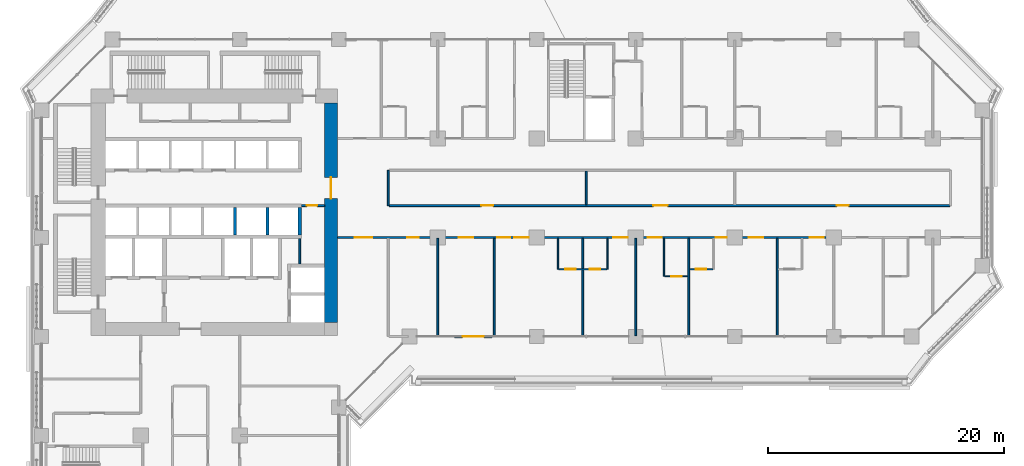
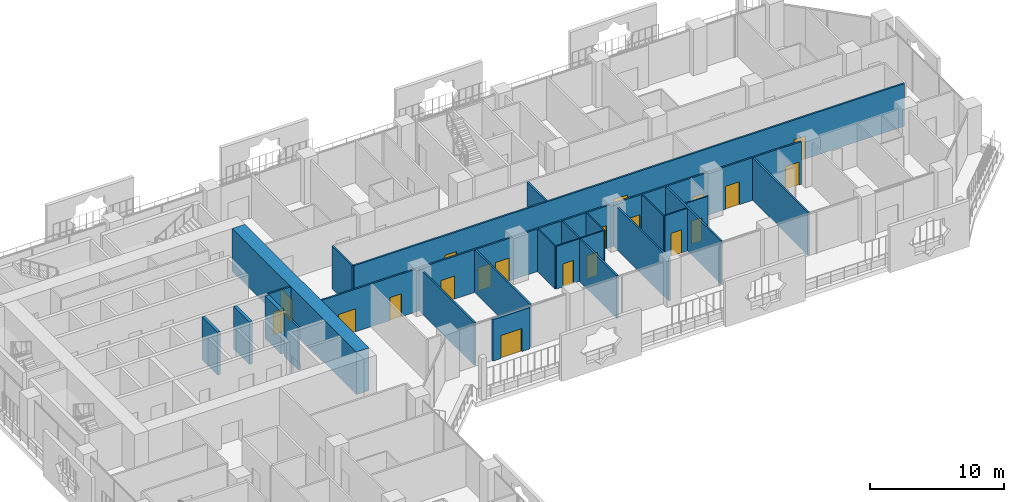
# One storey, part 16 of 28: 23 walls, 20 doors, 20 openings.
"""IFC4 building model written with IfcOpenShell, lengths in metres."""

from ifc_helpers import new_model, si_unit, direction, frame, frame_2d, origin, place, context, subcontext, project, spatial, rectangle, extrude, material, layer, layer_set, type_object, element, fill, save


model = new_model("IFC4")

# Units and contexts
model_context = context("Model", 3, precision=1e-05, world=origin(), true_north=direction((0.0, 1.0)))
body_context = subcontext(model_context, "Body", "Model", "MODEL_VIEW")
ifc_project = project(units=[si_unit("LENGTHUNIT", "METRE"), si_unit("AREAUNIT", "SQUARE_METRE"), si_unit("VOLUMEUNIT", "CUBIC_METRE"), si_unit("PLANEANGLEUNIT", "RADIAN"), si_unit("MASSUNIT", "GRAM", prefix="KILO")], contexts=[model_context])

# Site, building, storey
site_placement = place(None, origin())
site = spatial("IfcSite", under=ifc_project, at=site_placement, CompositionType="ELEMENT")
building_placement = place(site_placement, origin())
building = spatial("IfcBuilding", under=site, at=building_placement, Name="Kawkab Arch Medical Tower", CompositionType="ELEMENT")
storey_placement = place(building_placement, frame((0.0, 0.0, 81.199951171875)))
storey = spatial("IfcBuildingStorey", under=building, at=storey_placement, Name="L18", CompositionType="ELEMENT", Elevation=81.199951171875)

# Wall, opening, door
ifc_material_1 = material(Name="Concrete C60/75", Category="concrete")
ifc_layer_1 = layer(ifc_material_1, 1.10009765625)
ifc_layer_set_1 = layer_set([ifc_layer_1], Name="Concrete C60/75")
wall_type_1 = type_object("IfcWallType", Name="Core ring wall 1100 C60/75", PredefinedType="SHEAR", material=ifc_layer_set_1)
wall_1_placement = place(storey_placement, frame((24.550048828125, -24.0, 0.0), z_axis=(0.0, 0.0, 1.0), x_axis=(0.0, 1.0, 0.0)))
wall_1 = element("IfcWall", 1, at=wall_1_placement, inside=storey, type_object=wall_type_1, Name="L18 core wall", PredefinedType="SHEAR", context=body_context, shape_type="SweptSolid", body=[
    extrude(rectangle(XDim=18.60009765625, YDim=1.10009765625, at=frame_2d((9.300048828125, 0.0))), origin(), (0.0, 0.0, 1.0), 3.900146484375),
])
opening_1_placement = place(wall_1_placement, frame((10.5, 0.0, 0.0)))
opening_1 = element("IfcOpeningElement", 2, at=opening_1_placement, cuts=wall_1, Name="Opening PD", PredefinedType="OPENING", context=body_context, shape_type="SweptSolid", body=[
    extrude(rectangle(XDim=1.800048828125, YDim=2.10009765625, at=frame_2d((0.89990234375, 1.050048828125))), frame((0.0, 0.56005859375, 0.0), z_axis=(0.0, -1.0, 0.0), x_axis=(1.0, 0.0, 0.0)), (0.0, 0.0, 1.0), 1.1201171875),
])
ifc_material_2 = material(Name="Hollow metal fire door leaf")
door_type_1 = type_object("IfcDoorType", Name="Core entrance doors 1800", OperationType="DOUBLE_DOOR_SINGLE_SWING", PredefinedType="DOOR", material=ifc_material_2)
door_1_placement = place(opening_1_placement, origin())
door_1 = element("IfcDoor", 3, at=door_1_placement, inside=storey, type_object=door_type_1, Name="L18 East entrance doors", OperationType="DOUBLE_DOOR_SINGLE_SWING", OverallHeight=2.10009765625, OverallWidth=1.800048828125, PredefinedType="DOOR", context=body_context, shape_type="SweptSolid", body=[
    extrude(rectangle(XDim=1.800048828125, YDim=2.10009765625, at=frame_2d((0.89990234375, 1.050048828125))), frame((0.0, 0.02490234375, 0.0), z_axis=(0.0, -1.0, 0.0), x_axis=(1.0, 0.0, 0.0)), (0.0, 0.0, 1.0), 0.050048828125),
])
fill(opening_1, door_1)

# Wall
ifc_material_3 = material(Name="Gypsum board on steel studs", Category="steel")
ifc_layer_2 = layer(ifc_material_3, 0.14990234375)
ifc_layer_set_2 = layer_set([ifc_layer_2], Name="Gypsum board on steel studs")
wall_type_2 = type_object("IfcWallType", Name="Core room partition 150", PredefinedType="PARTITIONING", material=ifc_layer_set_2)
wall_2_placement = place(storey_placement, frame((21.89990234375, -19.050048828125, 0.0), z_axis=(0.0, 0.0, 1.0), x_axis=(0.0, 1.0, 0.0)))
element("IfcWall", 4, at=wall_2_placement, inside=storey, type_object=wall_type_2, Name="L18 core room partition", PredefinedType="PARTITIONING", context=body_context, shape_type="SweptSolid", body=[
    extrude(rectangle(XDim=2.150146484375, YDim=0.14990234375, at=frame_2d((1.0751953125, 0.0))), origin(), (0.0, 0.0, 1.0), 3.900146484375),
])

# Wall, opening, door
wall_3_placement = place(storey_placement, frame((22.050048828125, -14.10009765625, 0.0), z_axis=(0.0, 0.0, 1.0), x_axis=(1.0, 0.0, 0.0)))
wall_3 = element("IfcWall", 5, at=wall_3_placement, inside=storey, type_object=wall_type_2, Name="L18 core room partition", PredefinedType="PARTITIONING", context=body_context, shape_type="SweptSolid", body=[
    extrude(rectangle(XDim=1.949951171875, YDim=0.14990234375, at=frame_2d((0.97509765625, 0.0))), origin(), (0.0, 0.0, 1.0), 3.900146484375),
])
opening_2_placement = place(wall_3_placement, frame((0.449951171875, 0.0, 0.0)))
opening_2 = element("IfcOpeningElement", 6, at=opening_2_placement, cuts=wall_3, Name="Opening RD", PredefinedType="OPENING", context=body_context, shape_type="SweptSolid", body=[
    extrude(rectangle(XDim=0.89990234375, YDim=2.10009765625, at=frame_2d((0.449951171875, 1.050048828125))), frame((0.0, 0.0849609375, 0.0), z_axis=(0.0, -1.0, 0.0), x_axis=(1.0, 0.0, 0.0)), (0.0, 0.0, 1.0), 0.169921875),
])
ifc_material_4 = material(Name="Hollow metal fire door leaf")
door_type_2 = type_object("IfcDoorType", Name="Core room door 900", OperationType="SINGLE_SWING_LEFT", PredefinedType="DOOR", material=ifc_material_4)
door_2_placement = place(opening_2_placement, origin())
door_2 = element("IfcDoor", 7, at=door_2_placement, inside=storey, type_object=door_type_2, Name="L18 Housekeeping store door", OperationType="SINGLE_SWING_LEFT", OverallHeight=2.10009765625, OverallWidth=0.89990234375, PredefinedType="DOOR", context=body_context, shape_type="SweptSolid", body=[
    extrude(rectangle(XDim=0.89990234375, YDim=2.10009765625, at=frame_2d((0.449951171875, 1.050048828125))), frame((0.0, 0.02490234375, 0.0), z_axis=(0.0, -1.0, 0.0), x_axis=(1.0, 0.0, 0.0)), (0.0, 0.0, 1.0), 0.050048828125),
])
fill(opening_2, door_2)

# Walls
ifc_material_5 = material(Name="Concrete C60/75", Category="concrete")
ifc_layer_3 = layer(ifc_material_5, 0.25)
ifc_layer_set_3 = layer_set([ifc_layer_3], Name="Concrete C60/75")
wall_type_3 = type_object("IfcWallType", Name="Core shear wall 250 C60/75", PredefinedType="SHEAR", material=ifc_layer_set_3)
for number, where, z_axis, x_axis, name in (
    (8, (16.39990234375, -16.60009765625, 0.0), (0.0, 0.0, 1.0), (0.0, 1.0, 0.0), "L18 core shear wall"),
    (9, (19.14990234375, -16.60009765625, 0.0), (0.0, 0.0, 1.0), (0.0, 1.0, 0.0), "L18 core shear wall"),
):
    element("IfcWall", number, at=place(storey_placement, frame(where, z_axis=z_axis, x_axis=x_axis)), inside=storey, type_object=wall_type_3, Name=name, PredefinedType="SHEAR", context=body_context, shape_type="SweptSolid", body=[
        extrude(rectangle(XDim=2.35009765625, YDim=0.25, at=frame_2d((1.175048828125, 0.0))), origin(), (0.0, 0.0, 1.0), 3.900146484375),
    ])
ifc_material_6 = material(Name="Concrete C60/75", Category="concrete")
ifc_layer_4 = layer(ifc_material_6, 0.300048828125)
ifc_layer_set_4 = layer_set([ifc_layer_4], Name="Concrete C60/75")
wall_type_4 = type_object("IfcWallType", Name="Core shear wall 300 C60/75", PredefinedType="SHEAR", material=ifc_layer_set_4)
wall_4_placement = place(storey_placement, frame((21.89990234375, -16.60009765625, 0.0), z_axis=(0.0, 0.0, 1.0), x_axis=(0.0, 1.0, 0.0)))
element("IfcWall", 10, at=wall_4_placement, inside=storey, type_object=wall_type_4, Name="L18 core shear wall", PredefinedType="SHEAR", context=body_context, shape_type="SweptSolid", body=[
    extrude(rectangle(XDim=2.35009765625, YDim=0.300048828125, at=frame_2d((1.175048828125, 0.0))), origin(), (0.0, 0.0, 1.0), 3.900146484375),
])

# Wall, opening, door
ifc_material_7 = material(Name="Bronze clad insulated wall panel")
ifc_layer_5 = layer(ifc_material_7, 0.25)
ifc_layer_set_5 = layer_set([ifc_layer_5], Name="Bronze clad insulated wall panel")
wall_type_5 = type_object("IfcWallType", Name="External wall bay 250", PredefinedType="SOLIDWALL", material=ifc_layer_set_5)
wall_5_placement = place(storey_placement, frame((35.0166015625, -25.199951171875, 0.0), z_axis=(0.0, 0.0, 1.0), x_axis=(1.0, 0.0, 0.0)))
wall_5 = element("IfcWall", 11, at=wall_5_placement, inside=storey, type_object=wall_type_5, Name="External wall bay L18.R07.1.2", PredefinedType="SOLIDWALL", context=body_context, shape_type="SweptSolid", body=[
    extrude(rectangle(XDim=3.191650390625, YDim=0.25, at=frame_2d((1.595703125, 0.0))), origin(), (0.0, 0.0, 1.0), 3.780029296875),
])
opening_3_placement = place(wall_5_placement, frame((0.69580078125, 0.0, 0.0)))
opening_3 = element("IfcOpeningElement", 12, at=opening_3_placement, cuts=wall_5, Name="Opening W18-702", PredefinedType="OPENING", context=body_context, shape_type="SweptSolid", body=[
    extrude(rectangle(XDim=1.800048828125, YDim=2.10009765625, at=frame_2d((0.89990234375, 1.050048828125))), frame((0.0, 0.135009765625, 0.0), z_axis=(0.0, -1.0, 0.0), x_axis=(1.0, 0.0, 0.0)), (0.0, 0.0, 1.0), 0.27001953125),
])
ifc_material_8 = material(Name="Bronze anodised aluminium door with tinted glass", Category="aluminium")
door_type_3 = type_object("IfcDoorType", Name="Double external door 1800 x 2100", OperationType="DOUBLE_DOOR_SINGLE_SWING", PredefinedType="DOOR", material=ifc_material_8)
door_3_placement = place(opening_3_placement, origin())
door_3 = element("IfcDoor", 13, at=door_3_placement, inside=storey, type_object=door_type_3, Name="External door L18.R07.1.2", OperationType="DOUBLE_DOOR_SINGLE_SWING", OverallHeight=2.10009765625, OverallWidth=1.800048828125, PredefinedType="DOOR", context=body_context, shape_type="SweptSolid", body=[
    extrude(rectangle(XDim=1.800048828125, YDim=2.10009765625, at=frame_2d((0.89990234375, 1.050048828125))), frame((0.0, 0.02490234375, 0.0), z_axis=(0.0, -1.0, 0.0), x_axis=(1.0, 0.0, 0.0)), (0.0, 0.0, 1.0), 0.050048828125),
])
fill(opening_3, door_3)

ifc_material_9 = material(Name="Gypsum board partition on steel studs", Category="steel")
ifc_layer_6 = layer(ifc_material_9, 0.10009765625)
ifc_layer_set_6 = layer_set([ifc_layer_6], Name="Gypsum board partition on steel studs")
wall_type_6 = type_object("IfcWallType", Name="Partition 100", PredefinedType="PARTITIONING", material=ifc_layer_set_6)
wall_6_placement = place(storey_placement, frame((52.85009765625, -20.10009765625, 0.0), z_axis=(0.0, 0.0, 1.0), x_axis=(1.0, 0.0, 0.0)))
wall_6 = element("IfcWall", 14, at=wall_6_placement, inside=storey, type_object=wall_type_6, Name="Partition 100 w010", PredefinedType="PARTITIONING", context=body_context, shape_type="SweptSolid", body=[
    extrude(rectangle(XDim=1.974853515625, YDim=0.10009765625, at=frame_2d((0.9873046875, 0.0))), origin(), (0.0, 0.0, 1.0), 3.900146484375),
])
opening_4_placement = place(wall_6_placement, frame((0.550048828125, 0.0, 0.0)))
opening_4 = element("IfcOpeningElement", 15, at=opening_4_placement, cuts=wall_6, Name="Opening W18-010", PredefinedType="OPENING", context=body_context, shape_type="SweptSolid", body=[
    extrude(rectangle(XDim=0.89990234375, YDim=2.10009765625, at=frame_2d((0.449951171875, 1.050048828125))), frame((0.0, 0.06005859375, 0.0), z_axis=(0.0, -1.0, 0.0), x_axis=(1.0, 0.0, 0.0)), (0.0, 0.0, 1.0), 0.1201171875),
])
ifc_material_10 = material(Name="Timber door leaf", Category="wood")
door_type_4 = type_object("IfcDoorType", Name="Single door 900x2100", OperationType="NOTDEFINED", PredefinedType="DOOR", material=ifc_material_10)
door_4_placement = place(opening_4_placement, origin())
door_4 = element("IfcDoor", 16, at=door_4_placement, inside=storey, type_object=door_type_4, Name="Door W18-010", OperationType="SINGLE_SWING_LEFT", OverallHeight=2.10009765625, OverallWidth=0.89990234375, PredefinedType="DOOR", context=body_context, shape_type="SweptSolid", body=[
    extrude(rectangle(XDim=0.89990234375, YDim=2.10009765625, at=frame_2d((0.449951171875, 1.050048828125))), frame((0.0, 0.02490234375, 0.0), z_axis=(0.0, -1.0, 0.0), x_axis=(1.0, 0.0, 0.0)), (0.0, 0.0, 1.0), 0.050048828125),
])
fill(opening_4, door_4)

# Wall, openings, doors
wall_7_placement = place(storey_placement, frame((43.85205078125, -19.5, 0.0), z_axis=(0.0, 0.0, 1.0), x_axis=(1.0, 0.0, 0.0)))
wall_7 = element("IfcWall", 17, at=wall_7_placement, inside=storey, type_object=wall_type_6, Name="Partition 100 w012", PredefinedType="PARTITIONING", context=body_context, shape_type="SweptSolid", body=[
    extrude(rectangle(XDim=4.097900390625, YDim=0.10009765625, at=frame_2d((2.048828125, 0.0))), origin(), (0.0, 0.0, 1.0), 3.900146484375),
])
opening_5_placement = place(wall_7_placement, frame((0.549072265625, 0.0, 0.0)))
opening_5 = element("IfcOpeningElement", 18, at=opening_5_placement, cuts=wall_7, Name="Opening W18-008", PredefinedType="OPENING", context=body_context, shape_type="SweptSolid", body=[
    extrude(rectangle(XDim=0.89990234375, YDim=2.10009765625, at=frame_2d((0.449951171875, 1.050048828125))), frame((0.0, 0.06005859375, 0.0), z_axis=(0.0, -1.0, 0.0), x_axis=(1.0, 0.0, 0.0)), (0.0, 0.0, 1.0), 0.1201171875),
])
opening_6_placement = place(wall_7_placement, frame((2.64794921875, 0.0, 0.0)))
opening_6 = element("IfcOpeningElement", 19, at=opening_6_placement, cuts=wall_7, Name="Opening W18-009", PredefinedType="OPENING", context=body_context, shape_type="SweptSolid", body=[
    extrude(rectangle(XDim=0.89990234375, YDim=2.10009765625, at=frame_2d((0.449951171875, 1.050048828125))), frame((0.0, 0.06005859375, 0.0), z_axis=(0.0, -1.0, 0.0), x_axis=(1.0, 0.0, 0.0)), (0.0, 0.0, 1.0), 0.1201171875),
])
door_5_placement = place(opening_5_placement, origin())
door_5 = element("IfcDoor", 20, at=door_5_placement, inside=storey, type_object=door_type_4, Name="Door W18-008", OperationType="SINGLE_SWING_RIGHT", OverallHeight=2.10009765625, OverallWidth=0.89990234375, PredefinedType="DOOR", context=body_context, shape_type="SweptSolid", body=[
    extrude(rectangle(XDim=0.89990234375, YDim=2.10009765625, at=frame_2d((0.449951171875, 1.050048828125))), frame((0.0, 0.02490234375, 0.0), z_axis=(0.0, -1.0, 0.0), x_axis=(1.0, 0.0, 0.0)), (0.0, 0.0, 1.0), 0.050048828125),
])
fill(opening_5, door_5)
door_6_placement = place(opening_6_placement, origin())
door_6 = element("IfcDoor", 21, at=door_6_placement, inside=storey, type_object=door_type_4, Name="Door W18-009", OperationType="SINGLE_SWING_LEFT", OverallHeight=2.10009765625, OverallWidth=0.89990234375, PredefinedType="DOOR", context=body_context, shape_type="SweptSolid", body=[
    extrude(rectangle(XDim=0.89990234375, YDim=2.10009765625, at=frame_2d((0.449951171875, 1.050048828125))), frame((0.0, 0.02490234375, 0.0), z_axis=(0.0, -1.0, 0.0), x_axis=(1.0, 0.0, 0.0)), (0.0, 0.0, 1.0), 0.050048828125),
])
fill(opening_6, door_6)

# Wall, opening, door
wall_8_placement = place(storey_placement, frame((54.97509765625, -19.5, 0.0), z_axis=(0.0, 0.0, 1.0), x_axis=(1.0, 0.0, 0.0)))
wall_8 = element("IfcWall", 22, at=wall_8_placement, inside=storey, type_object=wall_type_6, Name="Partition 100 w013", PredefinedType="PARTITIONING", context=body_context, shape_type="SweptSolid", body=[
    extrude(rectangle(XDim=1.972900390625, YDim=0.10009765625, at=frame_2d((0.986328125, 0.0))), origin(), (0.0, 0.0, 1.0), 3.900146484375),
])
opening_7_placement = place(wall_8_placement, frame((0.52392578125, 0.0, 0.0)))
opening_7 = element("IfcOpeningElement", 23, at=opening_7_placement, cuts=wall_8, Name="Opening W18-011", PredefinedType="OPENING", context=body_context, shape_type="SweptSolid", body=[
    extrude(rectangle(XDim=0.89990234375, YDim=2.10009765625, at=frame_2d((0.449951171875, 1.050048828125))), frame((0.0, 0.06005859375, 0.0), z_axis=(0.0, -1.0, 0.0), x_axis=(1.0, 0.0, 0.0)), (0.0, 0.0, 1.0), 0.1201171875),
])
door_7_placement = place(opening_7_placement, origin())
door_7 = element("IfcDoor", 24, at=door_7_placement, inside=storey, type_object=door_type_4, Name="Door W18-011", OperationType="SINGLE_SWING_RIGHT", OverallHeight=2.10009765625, OverallWidth=0.89990234375, PredefinedType="DOOR", context=body_context, shape_type="SweptSolid", body=[
    extrude(rectangle(XDim=0.89990234375, YDim=2.10009765625, at=frame_2d((0.449951171875, 1.050048828125))), frame((0.0, 0.02490234375, 0.0), z_axis=(0.0, -1.0, 0.0), x_axis=(1.0, 0.0, 0.0)), (0.0, 0.0, 1.0), 0.050048828125),
])
fill(opening_7, door_7)

# Walls
wall_9_placement = place(storey_placement, frame((43.800048828125, -19.4990234375, 0.0), z_axis=(0.0, 0.0, 1.0), x_axis=(0.0, 1.0, 0.0)))
element("IfcWall", 25, at=wall_9_placement, inside=storey, type_object=wall_type_6, Name="Partition 100 w030", PredefinedType="PARTITIONING", context=body_context, shape_type="SweptSolid", body=[
    extrude(rectangle(XDim=2.6240234375, YDim=0.10009765625, at=frame_2d((1.31201171875, 0.0))), origin(), (0.0, 0.0, 1.0), 3.900146484375),
])
wall_10_placement = place(storey_placement, frame((48.0, -19.5, 0.0), z_axis=(0.0, 0.0, 1.0), x_axis=(0.0, 1.0, 0.0)))
element("IfcWall", 26, at=wall_10_placement, inside=storey, type_object=wall_type_6, Name="Partition 100 w031", PredefinedType="PARTITIONING", context=body_context, shape_type="SweptSolid", body=[
    extrude(rectangle(XDim=2.625, YDim=0.10009765625, at=frame_2d((1.3125, 0.0))), origin(), (0.0, 0.0, 1.0), 3.900146484375),
])
wall_11_placement = place(storey_placement, frame((52.800048828125, -20.10009765625, 0.0), z_axis=(0.0, 0.0, 1.0), x_axis=(0.0, 1.0, 0.0)))
element("IfcWall", 27, at=wall_11_placement, inside=storey, type_object=wall_type_6, Name="Partition 100 w032", PredefinedType="PARTITIONING", context=body_context, shape_type="SweptSolid", body=[
    extrude(rectangle(XDim=3.22509765625, YDim=0.10009765625, at=frame_2d((1.612548828125, 0.0))), origin(), (0.0, 0.0, 1.0), 3.900146484375),
])

# Wall, openings, doors
ifc_material_11 = material(Name="Gypsum board partition on steel studs, mineral wool", Category="steel")
ifc_layer_7 = layer(ifc_material_11, 0.14990234375)
ifc_layer_set_7 = layer_set([ifc_layer_7], Name="Gypsum board partition on steel studs, mineral wool")
wall_type_7 = type_object("IfcWallType", Name="Partition 150", PredefinedType="PARTITIONING", material=ifc_layer_set_7)
wall_12_placement = place(storey_placement, frame((25.10009765625, -16.800048828125, 0.0), z_axis=(0.0, 0.0, 1.0), x_axis=(1.0, 0.0, 0.0)))
wall_12 = element("IfcWall", 28, at=wall_12_placement, inside=storey, type_object=wall_type_7, Name="Partition 150 w059", PredefinedType="PARTITIONING", context=body_context, shape_type="SweptSolid", body=[
    extrude(rectangle(XDim=41.449951171875, YDim=0.14990234375, at=frame_2d((20.72509765625, 0.0))), origin(), (0.0, 0.0, 1.0), 3.900146484375),
])
opening_8_placement = place(wall_12_placement, frame((1.449951171875, 0.0, 0.0)))
opening_8 = element("IfcOpeningElement", 29, at=opening_8_placement, cuts=wall_12, Name="Opening W18-001", PredefinedType="OPENING", context=body_context, shape_type="SweptSolid", body=[
    extrude(rectangle(XDim=1.5, YDim=2.10009765625, at=frame_2d((0.75, 1.050048828125))), frame((0.0, 0.0849609375, 0.0), z_axis=(0.0, -1.0, 0.0), x_axis=(1.0, 0.0, 0.0)), (0.0, 0.0, 1.0), 0.169921875),
])
opening_9_placement = place(wall_12_placement, frame((5.89990234375, 0.0, 0.0)))
opening_9 = element("IfcOpeningElement", 30, at=opening_9_placement, cuts=wall_12, Name="Opening W18-034", PredefinedType="OPENING", context=body_context, shape_type="SweptSolid", body=[
    extrude(rectangle(XDim=1.0, YDim=2.10009765625, at=frame_2d((0.5, 1.050048828125))), frame((0.0, 0.0849609375, 0.0), z_axis=(0.0, -1.0, 0.0), x_axis=(1.0, 0.0, 0.0)), (0.0, 0.0, 1.0), 0.169921875),
])
opening_10_placement = place(wall_12_placement, frame((10.300048828125, 0.0, 0.0)))
opening_10 = element("IfcOpeningElement", 31, at=opening_10_placement, cuts=wall_12, Name="Opening W18-052", PredefinedType="OPENING", context=body_context, shape_type="SweptSolid", body=[
    extrude(rectangle(XDim=1.199951171875, YDim=2.10009765625, at=frame_2d((0.60009765625, 1.050048828125))), frame((0.0, 0.0849609375, 0.0), z_axis=(0.0, -1.0, 0.0), x_axis=(1.0, 0.0, 0.0)), (0.0, 0.0, 1.0), 0.169921875),
])
opening_11_placement = place(wall_12_placement, frame((15.0, 0.0, 0.0)))
opening_11 = element("IfcOpeningElement", 32, at=opening_11_placement, cuts=wall_12, Name="Opening W18-053", PredefinedType="OPENING", context=body_context, shape_type="SweptSolid", body=[
    extrude(rectangle(XDim=1.199951171875, YDim=2.10009765625, at=frame_2d((0.60009765625, 1.050048828125))), frame((0.0, 0.0849609375, 0.0), z_axis=(0.0, -1.0, 0.0), x_axis=(1.0, 0.0, 0.0)), (0.0, 0.0, 1.0), 0.169921875),
])
opening_12_placement = place(wall_12_placement, frame((13.550048828125, 0.0, 0.0)))
opening_12 = element("IfcOpeningElement", 33, at=opening_12_placement, cuts=wall_12, Name="Opening W18-042", PredefinedType="OPENING", context=body_context, shape_type="SweptSolid", body=[
    extrude(rectangle(XDim=1.10009765625, YDim=2.10009765625, at=frame_2d((0.550048828125, 1.050048828125))), frame((0.0, 0.0849609375, 0.0), z_axis=(0.0, -1.0, 0.0), x_axis=(1.0, 0.0, 0.0)), (0.0, 0.0, 1.0), 0.169921875),
])
opening_13_placement = place(wall_12_placement, frame((23.39990234375, 0.0, 0.0)))
opening_13 = element("IfcOpeningElement", 34, at=opening_13_placement, cuts=wall_12, Name="Opening W18-054", PredefinedType="OPENING", context=body_context, shape_type="SweptSolid", body=[
    extrude(rectangle(XDim=1.199951171875, YDim=2.10009765625, at=frame_2d((0.60009765625, 1.050048828125))), frame((0.0, 0.0849609375, 0.0), z_axis=(0.0, -1.0, 0.0), x_axis=(1.0, 0.0, 0.0)), (0.0, 0.0, 1.0), 0.169921875),
])
opening_14_placement = place(wall_12_placement, frame((26.300048828125, 0.0, 0.0)))
opening_14 = element("IfcOpeningElement", 35, at=opening_14_placement, cuts=wall_12, Name="Opening W18-055", PredefinedType="OPENING", context=body_context, shape_type="SweptSolid", body=[
    extrude(rectangle(XDim=1.199951171875, YDim=2.10009765625, at=frame_2d((0.60009765625, 1.050048828125))), frame((0.0, 0.0849609375, 0.0), z_axis=(0.0, -1.0, 0.0), x_axis=(1.0, 0.0, 0.0)), (0.0, 0.0, 1.0), 0.169921875),
])
opening_15_placement = place(wall_12_placement, frame((34.89990234375, 0.0, 0.0)))
opening_15 = element("IfcOpeningElement", 36, at=opening_15_placement, cuts=wall_12, Name="Opening W18-056", PredefinedType="OPENING", context=body_context, shape_type="SweptSolid", body=[
    extrude(rectangle(XDim=1.199951171875, YDim=2.10009765625, at=frame_2d((0.60009765625, 1.050048828125))), frame((0.0, 0.0849609375, 0.0), z_axis=(0.0, -1.0, 0.0), x_axis=(1.0, 0.0, 0.0)), (0.0, 0.0, 1.0), 0.169921875),
])
opening_16_placement = place(wall_12_placement, frame((32.10009765625, 0.0, 0.0)))
opening_16 = element("IfcOpeningElement", 37, at=opening_16_placement, cuts=wall_12, Name="Opening W18-024", PredefinedType="OPENING", context=body_context, shape_type="SweptSolid", body=[
    extrude(rectangle(XDim=0.89990234375, YDim=2.10009765625, at=frame_2d((0.449951171875, 1.050048828125))), frame((0.0, 0.0849609375, 0.0), z_axis=(0.0, -1.0, 0.0), x_axis=(1.0, 0.0, 0.0)), (0.0, 0.0, 1.0), 0.169921875),
])
opening_17_placement = place(wall_12_placement, frame((40.050048828125, 0.0, 0.0)))
opening_17 = element("IfcOpeningElement", 38, at=opening_17_placement, cuts=wall_12, Name="Opening W18-057", PredefinedType="OPENING", context=body_context, shape_type="SweptSolid", body=[
    extrude(rectangle(XDim=1.199951171875, YDim=2.10009765625, at=frame_2d((0.60009765625, 1.050048828125))), frame((0.0, 0.0849609375, 0.0), z_axis=(0.0, -1.0, 0.0), x_axis=(1.0, 0.0, 0.0)), (0.0, 0.0, 1.0), 0.169921875),
])
ifc_material_12 = material(Name="Hollow metal door leaf")
door_type_5 = type_object("IfcDoorType", Name="Double door 1500x2100 FD30S", OperationType="NOTDEFINED", PredefinedType="DOOR", material=ifc_material_12)
door_8_placement = place(opening_8_placement, origin())
door_8 = element("IfcDoor", 39, at=door_8_placement, inside=storey, type_object=door_type_5, Name="Door W18-001", OperationType="DOUBLE_DOOR_SINGLE_SWING", OverallHeight=2.10009765625, OverallWidth=1.5, PredefinedType="DOOR", context=body_context, shape_type="SweptSolid", body=[
    extrude(rectangle(XDim=1.5, YDim=2.10009765625, at=frame_2d((0.75, 1.050048828125))), frame((0.0, 0.02490234375, 0.0), z_axis=(0.0, -1.0, 0.0), x_axis=(1.0, 0.0, 0.0)), (0.0, 0.0, 1.0), 0.050048828125),
])
fill(opening_8, door_8)
ifc_material_13 = material(Name="Hollow metal door leaf")
door_type_6 = type_object("IfcDoorType", Name="Single door 1000x2100 FD30S", OperationType="NOTDEFINED", PredefinedType="DOOR", material=ifc_material_13)
door_9_placement = place(opening_9_placement, origin())
door_9 = element("IfcDoor", 40, at=door_9_placement, inside=storey, type_object=door_type_6, Name="Door W18-034", OperationType="SINGLE_SWING_RIGHT", OverallHeight=2.10009765625, OverallWidth=1.0, PredefinedType="DOOR", context=body_context, shape_type="SweptSolid", body=[
    extrude(rectangle(XDim=1.0, YDim=2.10009765625, at=frame_2d((0.5, 1.050048828125))), frame((0.0, 0.02490234375, 0.0), z_axis=(0.0, -1.0, 0.0), x_axis=(1.0, 0.0, 0.0)), (0.0, 0.0, 1.0), 0.050048828125),
])
fill(opening_9, door_9)
ifc_material_14 = material(Name="Hollow metal door leaf")
door_type_7 = type_object("IfcDoorType", Name="Single door 1100x2100 FD30S", OperationType="NOTDEFINED", PredefinedType="DOOR", material=ifc_material_14)
door_10_placement = place(opening_12_placement, origin())
door_10 = element("IfcDoor", 41, at=door_10_placement, inside=storey, type_object=door_type_7, Name="Door W18-042", OperationType="SINGLE_SWING_RIGHT", OverallHeight=2.10009765625, OverallWidth=1.10009765625, PredefinedType="DOOR", context=body_context, shape_type="SweptSolid", body=[
    extrude(rectangle(XDim=1.10009765625, YDim=2.10009765625, at=frame_2d((0.550048828125, 1.050048828125))), frame((0.0, 0.02490234375, 0.0), z_axis=(0.0, -1.0, 0.0), x_axis=(1.0, 0.0, 0.0)), (0.0, 0.0, 1.0), 0.050048828125),
])
fill(opening_12, door_10)
ifc_material_15 = material(Name="Hollow metal door leaf")
door_type_8 = type_object("IfcDoorType", Name="Single door 1200x2100 FD30S", OperationType="NOTDEFINED", PredefinedType="DOOR", material=ifc_material_15)
door_11_placement = place(opening_10_placement, origin())
door_11 = element("IfcDoor", 42, at=door_11_placement, inside=storey, type_object=door_type_8, Name="Door W18-052", OperationType="SINGLE_SWING_RIGHT", OverallHeight=2.10009765625, OverallWidth=1.199951171875, PredefinedType="DOOR", context=body_context, shape_type="SweptSolid", body=[
    extrude(rectangle(XDim=1.199951171875, YDim=2.10009765625, at=frame_2d((0.60009765625, 1.050048828125))), frame((0.0, 0.02490234375, 0.0), z_axis=(0.0, -1.0, 0.0), x_axis=(1.0, 0.0, 0.0)), (0.0, 0.0, 1.0), 0.050048828125),
])
fill(opening_10, door_11)
door_12_placement = place(opening_11_placement, origin())
door_12 = element("IfcDoor", 43, at=door_12_placement, inside=storey, type_object=door_type_8, Name="Door W18-053", OperationType="SINGLE_SWING_RIGHT", OverallHeight=2.10009765625, OverallWidth=1.199951171875, PredefinedType="DOOR", context=body_context, shape_type="SweptSolid", body=[
    extrude(rectangle(XDim=1.199951171875, YDim=2.10009765625, at=frame_2d((0.60009765625, 1.050048828125))), frame((0.0, 0.02490234375, 0.0), z_axis=(0.0, -1.0, 0.0), x_axis=(1.0, 0.0, 0.0)), (0.0, 0.0, 1.0), 0.050048828125),
])
fill(opening_11, door_12)
door_13_placement = place(opening_13_placement, origin())
door_13 = element("IfcDoor", 44, at=door_13_placement, inside=storey, type_object=door_type_8, Name="Door W18-054", OperationType="SINGLE_SWING_LEFT", OverallHeight=2.10009765625, OverallWidth=1.199951171875, PredefinedType="DOOR", context=body_context, shape_type="SweptSolid", body=[
    extrude(rectangle(XDim=1.199951171875, YDim=2.10009765625, at=frame_2d((0.60009765625, 1.050048828125))), frame((0.0, 0.02490234375, 0.0), z_axis=(0.0, -1.0, 0.0), x_axis=(1.0, 0.0, 0.0)), (0.0, 0.0, 1.0), 0.050048828125),
])
fill(opening_13, door_13)
door_14_placement = place(opening_14_placement, origin())
door_14 = element("IfcDoor", 45, at=door_14_placement, inside=storey, type_object=door_type_8, Name="Door W18-055", OperationType="SINGLE_SWING_LEFT", OverallHeight=2.10009765625, OverallWidth=1.199951171875, PredefinedType="DOOR", context=body_context, shape_type="SweptSolid", body=[
    extrude(rectangle(XDim=1.199951171875, YDim=2.10009765625, at=frame_2d((0.60009765625, 1.050048828125))), frame((0.0, 0.02490234375, 0.0), z_axis=(0.0, -1.0, 0.0), x_axis=(1.0, 0.0, 0.0)), (0.0, 0.0, 1.0), 0.050048828125),
])
fill(opening_14, door_14)
door_15_placement = place(opening_15_placement, origin())
door_15 = element("IfcDoor", 46, at=door_15_placement, inside=storey, type_object=door_type_8, Name="Door W18-056", OperationType="SINGLE_SWING_LEFT", OverallHeight=2.10009765625, OverallWidth=1.199951171875, PredefinedType="DOOR", context=body_context, shape_type="SweptSolid", body=[
    extrude(rectangle(XDim=1.199951171875, YDim=2.10009765625, at=frame_2d((0.60009765625, 1.050048828125))), frame((0.0, 0.02490234375, 0.0), z_axis=(0.0, -1.0, 0.0), x_axis=(1.0, 0.0, 0.0)), (0.0, 0.0, 1.0), 0.050048828125),
])
fill(opening_15, door_15)
door_16_placement = place(opening_17_placement, origin())
door_16 = element("IfcDoor", 47, at=door_16_placement, inside=storey, type_object=door_type_8, Name="Door W18-057", OperationType="SINGLE_SWING_LEFT", OverallHeight=2.10009765625, OverallWidth=1.199951171875, PredefinedType="DOOR", context=body_context, shape_type="SweptSolid", body=[
    extrude(rectangle(XDim=1.199951171875, YDim=2.10009765625, at=frame_2d((0.60009765625, 1.050048828125))), frame((0.0, 0.02490234375, 0.0), z_axis=(0.0, -1.0, 0.0), x_axis=(1.0, 0.0, 0.0)), (0.0, 0.0, 1.0), 0.050048828125),
])
fill(opening_17, door_16)
ifc_material_16 = material(Name="Hollow metal door leaf")
door_type_9 = type_object("IfcDoorType", Name="Single door 900x2100 FD30S", OperationType="NOTDEFINED", PredefinedType="DOOR", material=ifc_material_16)
door_17_placement = place(opening_16_placement, origin())
door_17 = element("IfcDoor", 48, at=door_17_placement, inside=storey, type_object=door_type_9, Name="Door W18-024", OperationType="SINGLE_SWING_LEFT", OverallHeight=2.10009765625, OverallWidth=0.89990234375, PredefinedType="DOOR", context=body_context, shape_type="SweptSolid", body=[
    extrude(rectangle(XDim=0.89990234375, YDim=2.10009765625, at=frame_2d((0.449951171875, 1.050048828125))), frame((0.0, 0.02490234375, 0.0), z_axis=(0.0, -1.0, 0.0), x_axis=(1.0, 0.0, 0.0)), (0.0, 0.0, 1.0), 0.050048828125),
])
fill(opening_16, door_17)

wall_13_placement = place(storey_placement, frame((29.47509765625, -14.10009765625, 0.0), z_axis=(0.0, 0.0, 1.0), x_axis=(1.0, 0.0, 0.0)))
wall_13 = element("IfcWall", 49, at=wall_13_placement, inside=storey, type_object=wall_type_7, Name="Partition 150 w061", PredefinedType="PARTITIONING", context=body_context, shape_type="SweptSolid", body=[
    extrude(rectangle(XDim=47.5498046875, YDim=0.14990234375, at=frame_2d((23.77490234375, 0.0))), origin(), (0.0, 0.0, 1.0), 3.900146484375),
])
opening_18_placement = place(wall_13_placement, frame((7.824951171875, 0.0, 0.0)))
opening_18 = element("IfcOpeningElement", 50, at=opening_18_placement, cuts=wall_13, Name="Opening W18-032", PredefinedType="OPENING", context=body_context, shape_type="SweptSolid", body=[
    extrude(rectangle(XDim=1.0, YDim=2.10009765625, at=frame_2d((0.5, 1.050048828125))), frame((0.0, 0.0849609375, 0.0), z_axis=(0.0, -1.0, 0.0), x_axis=(1.0, 0.0, 0.0)), (0.0, 0.0, 1.0), 0.169921875),
])
opening_19_placement = place(wall_13_placement, frame((22.425048828125, 0.0, 0.0)))
opening_19 = element("IfcOpeningElement", 51, at=opening_19_placement, cuts=wall_13, Name="Opening W18-051", PredefinedType="OPENING", context=body_context, shape_type="SweptSolid", body=[
    extrude(rectangle(XDim=1.199951171875, YDim=2.10009765625, at=frame_2d((0.60009765625, 1.050048828125))), frame((0.0, 0.0849609375, 0.0), z_axis=(0.0, -1.0, 0.0), x_axis=(1.0, 0.0, 0.0)), (0.0, 0.0, 1.0), 0.169921875),
])
opening_20_placement = place(wall_13_placement, frame((37.97509765625, 0.0, 0.0)))
opening_20 = element("IfcOpeningElement", 52, at=opening_20_placement, cuts=wall_13, Name="Opening W18-033", PredefinedType="OPENING", context=body_context, shape_type="SweptSolid", body=[
    extrude(rectangle(XDim=1.0, YDim=2.10009765625, at=frame_2d((0.5, 1.050048828125))), frame((0.0, 0.0849609375, 0.0), z_axis=(0.0, -1.0, 0.0), x_axis=(1.0, 0.0, 0.0)), (0.0, 0.0, 1.0), 0.169921875),
])
door_18_placement = place(opening_18_placement, origin())
door_18 = element("IfcDoor", 53, at=door_18_placement, inside=storey, type_object=door_type_6, Name="Door W18-032", OperationType="SINGLE_SWING_LEFT", OverallHeight=2.10009765625, OverallWidth=1.0, PredefinedType="DOOR", context=body_context, shape_type="SweptSolid", body=[
    extrude(rectangle(XDim=1.0, YDim=2.10009765625, at=frame_2d((0.5, 1.050048828125))), frame((0.0, 0.02490234375, 0.0), z_axis=(0.0, -1.0, 0.0), x_axis=(1.0, 0.0, 0.0)), (0.0, 0.0, 1.0), 0.050048828125),
])
fill(opening_18, door_18)
door_19_placement = place(opening_20_placement, origin())
door_19 = element("IfcDoor", 54, at=door_19_placement, inside=storey, type_object=door_type_6, Name="Door W18-033", OperationType="SINGLE_SWING_RIGHT", OverallHeight=2.10009765625, OverallWidth=1.0, PredefinedType="DOOR", context=body_context, shape_type="SweptSolid", body=[
    extrude(rectangle(XDim=1.0, YDim=2.10009765625, at=frame_2d((0.5, 1.050048828125))), frame((0.0, 0.02490234375, 0.0), z_axis=(0.0, -1.0, 0.0), x_axis=(1.0, 0.0, 0.0)), (0.0, 0.0, 1.0), 0.050048828125),
])
fill(opening_20, door_19)
door_20_placement = place(opening_19_placement, origin())
door_20 = element("IfcDoor", 55, at=door_20_placement, inside=storey, type_object=door_type_8, Name="Door W18-051", OperationType="SINGLE_SWING_LEFT", OverallHeight=2.10009765625, OverallWidth=1.199951171875, PredefinedType="DOOR", context=body_context, shape_type="SweptSolid", body=[
    extrude(rectangle(XDim=1.199951171875, YDim=2.10009765625, at=frame_2d((0.60009765625, 1.050048828125))), frame((0.0, 0.02490234375, 0.0), z_axis=(0.0, -1.0, 0.0), x_axis=(1.0, 0.0, 0.0)), (0.0, 0.0, 1.0), 0.050048828125),
])
fill(opening_19, door_20)

# Walls
wall_14_placement = place(storey_placement, frame((29.39990234375, -14.10009765625, 0.0), z_axis=(0.0, 0.0, 1.0), x_axis=(0.0, 1.0, 0.0)))
element("IfcWall", 56, at=wall_14_placement, inside=storey, type_object=wall_type_7, Name="Partition 150 w080", PredefinedType="PARTITIONING", context=body_context, shape_type="SweptSolid", body=[
    extrude(rectangle(XDim=3.0, YDim=0.14990234375, at=frame_2d((1.5, 0.0))), origin(), (0.0, 0.0, 1.0), 3.900146484375),
])
for number, where, z_axis, x_axis, name in (
    (57, (33.60009765625, -25.1201171875, 0.0), (0.0, 0.0, 1.0), (0.0, 1.0, 0.0), "Partition 150 w081"),
    (58, (38.39990234375, -25.1201171875, 0.0), (0.0, 0.0, 1.0), (0.0, 1.0, 0.0), "Partition 150 w084"),
    (59, (45.89990234375, -25.1201171875, 0.0), (0.0, 0.0, 1.0), (0.0, 1.0, 0.0), "Partition 150 w088"),
):
    element("IfcWall", number, at=place(storey_placement, frame(where, z_axis=z_axis, x_axis=x_axis)), inside=storey, type_object=wall_type_7, Name=name, PredefinedType="PARTITIONING", context=body_context, shape_type="SweptSolid", body=[
        extrude(rectangle(XDim=8.2451171875, YDim=0.14990234375, at=frame_2d((4.12255859375, 0.0))), origin(), (0.0, 0.0, 1.0), 3.900146484375),
    ])
wall_15_placement = place(storey_placement, frame((46.199951171875, -14.02490234375, 0.0), z_axis=(0.0, 0.0, 1.0), x_axis=(0.0, 1.0, 0.0)))
element("IfcWall", 60, at=wall_15_placement, inside=storey, type_object=wall_type_7, Name="Partition 150 w089", PredefinedType="PARTITIONING", context=body_context, shape_type="SweptSolid", body=[
    extrude(rectangle(XDim=2.849853515625, YDim=0.14990234375, at=frame_2d((1.4248046875, 0.0))), origin(), (0.0, 0.0, 1.0), 3.900146484375),
])
for number, where, z_axis, x_axis, name in (
    (61, (50.39990234375, -25.1201171875, 0.0), (0.0, 0.0, 1.0), (0.0, 1.0, 0.0), "Partition 150 w090"),
    (62, (54.89990234375, -25.1201171875, 0.0), (0.0, 0.0, 1.0), (0.0, 1.0, 0.0), "Partition 150 w094"),
    (63, (62.39990234375, -25.1201171875, 0.0), (0.0, 0.0, 1.0), (0.0, 1.0, 0.0), "Partition 150 w098"),
):
    element("IfcWall", number, at=place(storey_placement, frame(where, z_axis=z_axis, x_axis=x_axis)), inside=storey, type_object=wall_type_7, Name=name, PredefinedType="PARTITIONING", context=body_context, shape_type="SweptSolid", body=[
        extrude(rectangle(XDim=8.2451171875, YDim=0.14990234375, at=frame_2d((4.12255859375, 0.0))), origin(), (0.0, 0.0, 1.0), 3.900146484375),
    ])

save(model, "model.ifc")
